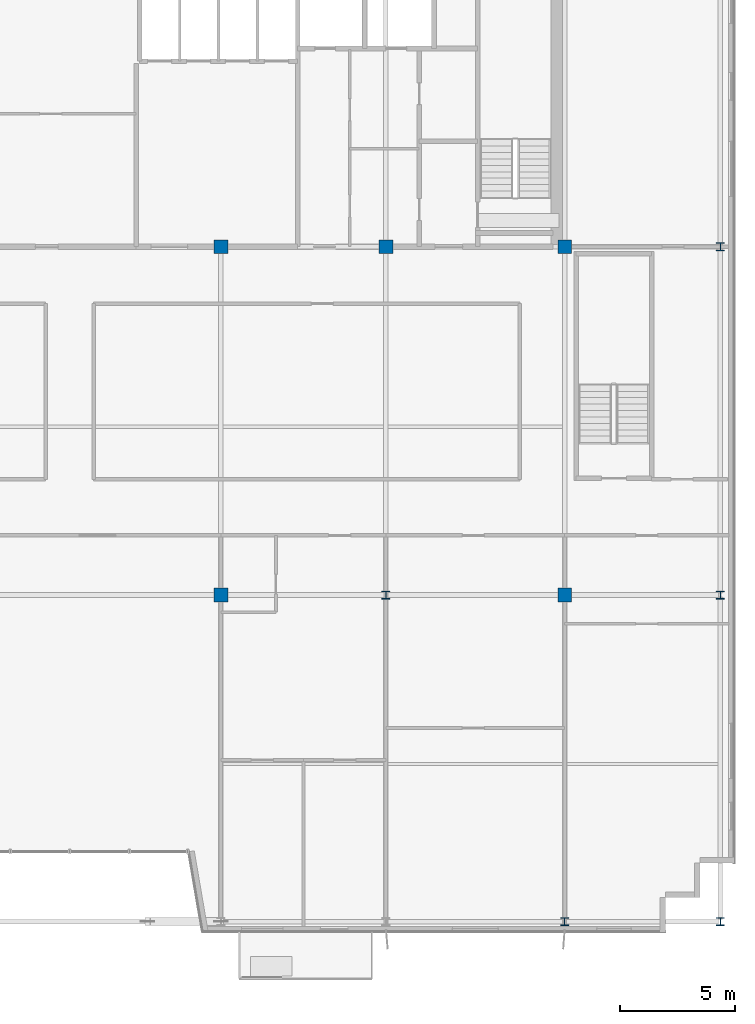
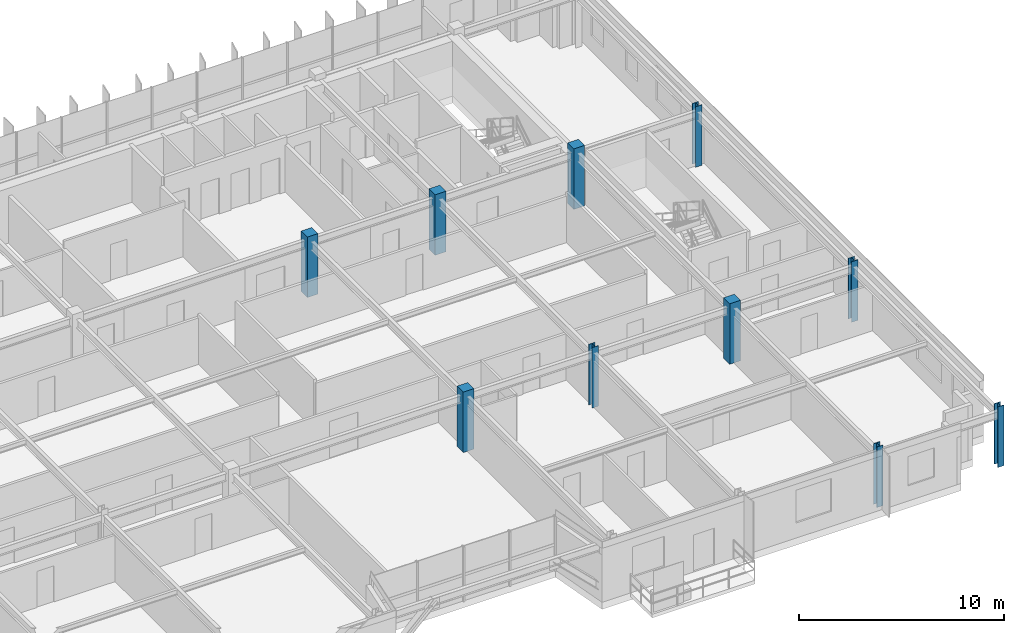
# One storey, part 2 of 28: 10 columns.
"""IFC4 building model written with IfcOpenShell, lengths in metres."""

import ifcopenshell
import ifcopenshell.guid

model = None  # the IFC model being written
_history = None  # IfcOwnerHistory: only IFC2X3 demands one
_inside = {}  # id of a spatial element -> (the spatial element, [elements in it])
_under = {}  # id of a project, library or spatial element -> (it, [spatial elements below it])
_declared = {}  # id of a project -> (the project, [libraries it declares])
_typed = {}  # id of a type object -> (the type object, [elements of that type])
_made_of = {}  # id of a material, layer set ... -> (it, [elements and type objects made of it])


def new_model(schema):
    """Start an empty IFC model of exactly this schema.

    Asked for "IFC4X3", IfcOpenShell would pick the latest addendum, in which some entities
    have other attributes; the version numbers below select the first issue.
    IFC2X3 requires an IfcOwnerHistory on every rooted entity: one is made here for all.
    """
    global model, _history
    if schema == "IFC4X3":
        model = ifcopenshell.file(schema_version=(4, 3, 0, 0))
    else:
        model = ifcopenshell.file(schema=schema)
    _inside.clear()
    _under.clear()
    _declared.clear()
    _typed.clear()
    _made_of.clear()
    _history = None
    if model.schema == "IFC2X3":
        org = make("IfcOrganization", Name="unknown")
        user = make(
            "IfcPersonAndOrganization",
            ThePerson=make("IfcPerson", FamilyName="unknown"),
            TheOrganization=org,
        )
        app = make(
            "IfcApplication",
            ApplicationDeveloper=org,
            Version="unknown",
            ApplicationFullName="unknown",
            ApplicationIdentifier="unknown",
        )
        _history = make(
            "IfcOwnerHistory",
            OwningUser=user,
            OwningApplication=app,
            ChangeAction="ADDED",
            CreationDate=0,
        )
    return model


def make(cls, **values):
    """One entity of the class cls with the attributes given. An attribute that is None is left unset."""
    return model.create_entity(
        cls, **{name: value for name, value in values.items() if value is not None}
    )


def rooted(cls, **values):
    """An entity with a GlobalId (a new one), such as an element, a storey or a relation."""
    return make(cls, GlobalId=ifcopenshell.guid.new(), OwnerHistory=_history, **values)


def si_unit(unit_type, name, prefix=None):
    """IfcSIUnit, for example si_unit("LENGTHUNIT", "METRE", prefix="MILLI")."""
    return make("IfcSIUnit", UnitType=unit_type, Prefix=prefix, Name=name)


def assignment(units):
    """IfcUnitAssignment: the units of a project."""
    return None if units is None else make("IfcUnitAssignment", Units=units)


def point(xyz):
    """IfcCartesianPoint."""
    return None if xyz is None else make("IfcCartesianPoint", Coordinates=xyz)


def direction(xyz):
    """IfcDirection."""
    return None if xyz is None else make("IfcDirection", DirectionRatios=xyz)


def frame(location, z_axis=None, x_axis=None):
    """IfcAxis2Placement3D, a coordinate frame: its origin and axes. An axis left out is left unset."""
    return make(
        "IfcAxis2Placement3D",
        Location=point(location),
        Axis=direction(z_axis),
        RefDirection=direction(x_axis),
    )


def frame_2d(location, x_axis=None):
    """IfcAxis2Placement2D, a coordinate frame in the plane: its origin and x axis."""
    return make(
        "IfcAxis2Placement2D", Location=point(location), RefDirection=direction(x_axis)
    )


def origin():
    """The frame at (0, 0, 0) with its axes left unset."""
    return frame((0.0, 0.0, 0.0))


def origin_2d():
    """The frame at (0, 0) in the plane with its x axis left unset."""
    return frame_2d((0.0, 0.0))


def place(relative_to, where):
    """IfcLocalPlacement: puts the frame where relative to a parent placement (None: the world)."""
    return make(
        "IfcLocalPlacement", PlacementRelTo=relative_to, RelativePlacement=where
    )


def context(
    kind, dimensions, precision=None, world=None, true_north=None, identifier=None
):
    """IfcGeometricRepresentationContext, for example the 3D "Model" context."""
    return make(
        "IfcGeometricRepresentationContext",
        ContextIdentifier=identifier,
        ContextType=kind,
        CoordinateSpaceDimension=dimensions,
        Precision=precision,
        WorldCoordinateSystem=world,
        TrueNorth=true_north,
    )


def subcontext(parent, identifier, kind, view, scale=None):
    """IfcGeometricRepresentationSubContext, for example "Body" below "Model"."""
    return make(
        "IfcGeometricRepresentationSubContext",
        ContextIdentifier=identifier,
        ContextType=kind,
        ParentContext=parent,
        TargetScale=scale,
        TargetView=view,
    )


def project(units=None, contexts=None):
    """IfcProject with its units and contexts."""
    return rooted(
        "IfcProject",
        Name="project",
        RepresentationContexts=contexts,
        UnitsInContext=assignment(units),
    )


def spatial(cls, under=None, at=None, **own):
    """A site, building, storey or space (cls), placed at a placement, below another one or the project."""
    s = rooted(cls, ObjectPlacement=at, **own)
    if under is not None:
        _under.setdefault(under.id(), (under, []))[1].append(s)
    return s


def profile(cls, at=None, kind="AREA", **sizes):
    """A parametric profile (cls). Its sizes go by their IFC names, for example OverallWidth=200.0."""
    return make(cls, ProfileType=kind, Position=at, **sizes)


def rectangle(**sizes):
    """IfcRectangleProfileDef."""
    return profile("IfcRectangleProfileDef", **sizes)


def i_section(**sizes):
    """IfcIShapeProfileDef."""
    return profile("IfcIShapeProfileDef", **sizes)


def extrude(swept, where, along, depth):
    """IfcExtrudedAreaSolid: the profile swept, set in the frame where, extruded along a direction by depth."""
    return make(
        "IfcExtrudedAreaSolid",
        SweptArea=swept,
        Position=where,
        ExtrudedDirection=direction(along),
        Depth=depth,
    )


def shape(context_of_items, identifier, shape_type, items):
    """IfcShapeRepresentation: the items that make up one representation, for example the "Body"."""
    return make(
        "IfcShapeRepresentation",
        ContextOfItems=context_of_items,
        RepresentationIdentifier=identifier,
        RepresentationType=shape_type,
        Items=items,
    )


def source(mapping_origin, context_of_items, identifier, shape_type, items):
    """IfcRepresentationMap: a shape defined once, which mapped items show again and again."""
    return make(
        "IfcRepresentationMap",
        MappingOrigin=mapping_origin,
        MappedRepresentation=shape(context_of_items, identifier, shape_type, items),
    )


def transform(
    local_origin,
    x_axis=None,
    y_axis=None,
    z_axis=None,
    scale=None,
    scale2=None,
    scale3=None,
    uniform=True,
):
    """IfcCartesianTransformationOperator3D, or its non-uniform kind. x_axis, y_axis, z_axis: its Axis1, 2, 3."""
    if uniform:
        return make(
            "IfcCartesianTransformationOperator3D",
            Axis1=direction(x_axis),
            Axis2=direction(y_axis),
            LocalOrigin=point(local_origin),
            Scale=scale,
            Axis3=direction(z_axis),
        )
    return make(
        "IfcCartesianTransformationOperator3DnonUniform",
        Axis1=direction(x_axis),
        Axis2=direction(y_axis),
        LocalOrigin=point(local_origin),
        Scale=scale,
        Axis3=direction(z_axis),
        Scale2=scale2,
        Scale3=scale3,
    )


def mapped(mapping_source, mapping_target):
    """IfcMappedItem: shows the shape of a source again, moved by a transform."""
    return make(
        "IfcMappedItem", MappingSource=mapping_source, MappingTarget=mapping_target
    )


def material(Name=None, Category=None):
    """IfcMaterial."""
    return make("IfcMaterial", Name=Name, Category=Category)


def material_profile(
    of_material, cross_section, Name=None, Category=None, Priority=None
):
    """IfcMaterialProfile: a cross section and its material."""
    return make(
        "IfcMaterialProfile",
        Name=Name,
        Material=of_material,
        Profile=cross_section,
        Priority=Priority,
        Category=Category,
    )


def profile_set(profiles, Name=None, composite=None):
    """IfcMaterialProfileSet."""
    return make(
        "IfcMaterialProfileSet",
        Name=Name,
        MaterialProfiles=profiles,
        CompositeProfile=composite,
    )


def made_of(thing, what):
    """Note that an element or type object is made of a material, layer set ...; save() writes the relation."""
    if what is not None:
        _made_of.setdefault(what.id(), (what, []))[1].append(thing)
    return thing


def type_object(cls, material=None, **own):
    """A type object (cls), such as IfcWallType, which elements share."""
    return made_of(rooted(cls, **own), material)


def element(
    cls,
    number,
    at=None,
    inside=None,
    cuts=None,
    type_object=None,
    material=None,
    context=None,
    identifier="Body",
    shape_type=None,
    held_by="IfcProductDefinitionShape",
    body=None,
    shapes=None,
    **own,
):
    """One element of the class cls, such as IfcWall. Its Tag is "e" and its number.

    at: its placement. inside: the storey or other place that contains it. cuts: it is an
    opening in that element (IfcRelVoidsElement). A single representation is given by context,
    identifier, shape_type and body (its items); several are given by shapes. held_by: the class
    of the entity that holds the representations. save() writes the other relations.
    """
    e = rooted(cls, Tag="e%d" % number, ObjectPlacement=at, **own)
    if body is not None:
        shapes = [shape(context, identifier, shape_type, body)]
    if shapes is not None:
        e.Representation = make(held_by, Representations=shapes)
    if inside is not None:
        _inside.setdefault(inside.id(), (inside, []))[1].append(e)
    if cuts is not None:
        rooted(
            "IfcRelVoidsElement", RelatingBuildingElement=cuts, RelatedOpeningElement=e
        )
    if type_object is not None:
        _typed.setdefault(type_object.id(), (type_object, []))[1].append(e)
    return made_of(e, material)


def aggregate(whole, parts):
    """IfcRelAggregates: a whole, such as a stair, and the parts it consists of."""
    return rooted("IfcRelAggregates", RelatingObject=whole, RelatedObjects=parts)


def save(model, path):
    """Write the relations noted so far, then the file.

    IfcRelAggregates (storeys below a building ...), IfcRelContainedInSpatialStructure (elements
    in a storey), IfcRelDefinesByType, IfcRelAssociatesMaterial and IfcRelDeclares: one each for
    every whole, place, type object, material and project.
    """
    for whole, parts in _under.values():
        aggregate(whole, parts)
    for where, things in _inside.values():
        rooted(
            "IfcRelContainedInSpatialStructure",
            RelatedElements=things,
            RelatingStructure=where,
        )
    for kind, things in _typed.values():
        rooted("IfcRelDefinesByType", RelatedObjects=things, RelatingType=kind)
    for what, things in _made_of.values():
        rooted("IfcRelAssociatesMaterial", RelatedObjects=things, RelatingMaterial=what)
    for by, libraries in _declared.values():
        rooted("IfcRelDeclares", RelatingContext=by, RelatedDefinitions=libraries)
    model.write(path)


model = new_model("IFC4")

# Units and contexts
model_context = context("Model", 3, precision=1e-05, world=origin(), true_north=direction((0.0, 1.0)))
body_context = subcontext(model_context, "Body", "Model", "MODEL_VIEW")
ifc_project = project(units=[si_unit("LENGTHUNIT", "METRE"), si_unit("AREAUNIT", "SQUARE_METRE"), si_unit("VOLUMEUNIT", "CUBIC_METRE"), si_unit("PLANEANGLEUNIT", "RADIAN"), si_unit("MASSUNIT", "GRAM", prefix="KILO")], contexts=[model_context])

# Site, building, storey
site_placement = place(None, origin())
site = spatial("IfcSite", under=ifc_project, at=site_placement, CompositionType="ELEMENT")
building_placement = place(site_placement, origin())
building = spatial("IfcBuilding", under=site, at=building_placement, Name="Trelvane Seafront Commons", CompositionType="ELEMENT")
storey_placement = place(building_placement, frame((0.0, 0.0, 295.5)))
storey = spatial("IfcBuildingStorey", under=building, at=storey_placement, Name="L77", CompositionType="ELEMENT", Elevation=295.5)

# Columns
ifc_material_1 = material(Name="Steel SM355 (S355)", Category="steel")
ifc_material_profile_1 = material_profile(ifc_material_1, i_section(OverallWidth=0.35009765625, OverallDepth=0.35009765625, WebThickness=0.01806640625, FlangeThickness=0.028076171875, at=origin_2d()), Name="HD-350x350x18x28")
ifc_profile_set_1 = profile_set([ifc_material_profile_1], Name="Steel SM355 (S355)")
column_type_1 = type_object("IfcColumnType", Name="STR-COL-HD350", PredefinedType="COLUMN", material=ifc_profile_set_1)
shared_shape_1 = source(origin(), body_context, "Body", "SweptSolid", [
    extrude(i_section(OverallWidth=0.35009765625, OverallDepth=0.35009765625, WebThickness=0.01806640625, FlangeThickness=0.028076171875, at=origin_2d()), origin(), (0.0, 0.0, 1.0), 3.60009765625),
])
for number, where, z_axis, x_axis, name in (
    (1, (51.0, 18.199951171875, 0.0), (0.0, 0.0, 1.0), (1.0, 0.0, 0.0), "L77 Column TC-M51.0"),
    (2, (58.800048828125, 3.949951171875, 0.0), (0.0, 0.0, 1.0), (1.0, 0.0, 0.0), "L77 Column TC-S58.8"),
    (3, (65.60009765625, 3.949951171875, 0.0), (0.0, 0.0, 1.0), (1.0, 0.0, 0.0), "L77 Column TC-S65.6"),
    (4, (65.60009765625, 18.199951171875, 0.0), (0.0, 0.0, 1.0), (1.0, 0.0, 0.0), "L77 Column TC-M65.6"),
    (5, (65.60009765625, 33.39990234375, 0.0), (0.0, 0.0, 1.0), (1.0, 0.0, 0.0), "L77 Column TC-CS65.6"),
):
    element("IfcColumn", number, at=place(storey_placement, frame(where, z_axis=z_axis, x_axis=x_axis)), inside=storey, type_object=column_type_1, Name=name, PredefinedType="COLUMN", context=body_context, shape_type="MappedRepresentation", body=[
        mapped(shared_shape_1, transform((0.0, 0.0, 0.0), x_axis=(1.0, 0.0, 0.0), y_axis=(0.0, 1.0, 0.0), z_axis=(0.0, 0.0, 1.0), scale=1.0)),
    ])
ifc_material_2 = material(Name="Concrete C50/60", Category="concrete")
ifc_material_profile_2 = material_profile(ifc_material_2, rectangle(XDim=0.60009765625, YDim=0.60009765625, at=origin_2d()), Name="RC-600x600")
ifc_profile_set_2 = profile_set([ifc_material_profile_2], Name="Concrete C50/60")
column_type_2 = type_object("IfcColumnType", Name="STR-COL-RC600", PredefinedType="COLUMN", material=ifc_profile_set_2)
shared_shape_2 = source(origin(), body_context, "Body", "SweptSolid", [
    extrude(rectangle(XDim=0.60009765625, YDim=0.60009765625, at=origin_2d()), origin(), (0.0, 0.0, 1.0), 3.60009765625),
])
for number, where, z_axis, x_axis, name in (
    (6, (43.800048828125, 18.199951171875, 0.0), (0.0, 0.0, 1.0), (1.0, 0.0, 0.0), "L77 Column TC-M43.8"),
    (7, (43.800048828125, 33.39990234375, 0.0), (0.0, 0.0, 1.0), (1.0, 0.0, 0.0), "L77 Column TC-CS43.8"),
    (8, (51.0, 33.39990234375, 0.0), (0.0, 0.0, 1.0), (1.0, 0.0, 0.0), "L77 Column TC-CS51.0"),
    (9, (58.800048828125, 18.199951171875, 0.0), (0.0, 0.0, 1.0), (1.0, 0.0, 0.0), "L77 Column TC-M58.8"),
    (10, (58.800048828125, 33.39990234375, 0.0), (0.0, 0.0, 1.0), (1.0, 0.0, 0.0), "L77 Column TC-CS58.8"),
):
    element("IfcColumn", number, at=place(storey_placement, frame(where, z_axis=z_axis, x_axis=x_axis)), inside=storey, type_object=column_type_2, Name=name, PredefinedType="COLUMN", context=body_context, shape_type="MappedRepresentation", body=[
        mapped(shared_shape_2, transform((0.0, 0.0, 0.0), x_axis=(1.0, 0.0, 0.0), y_axis=(0.0, 1.0, 0.0), z_axis=(0.0, 0.0, 1.0), scale=1.0)),
    ])

save(model, "model.ifc")
